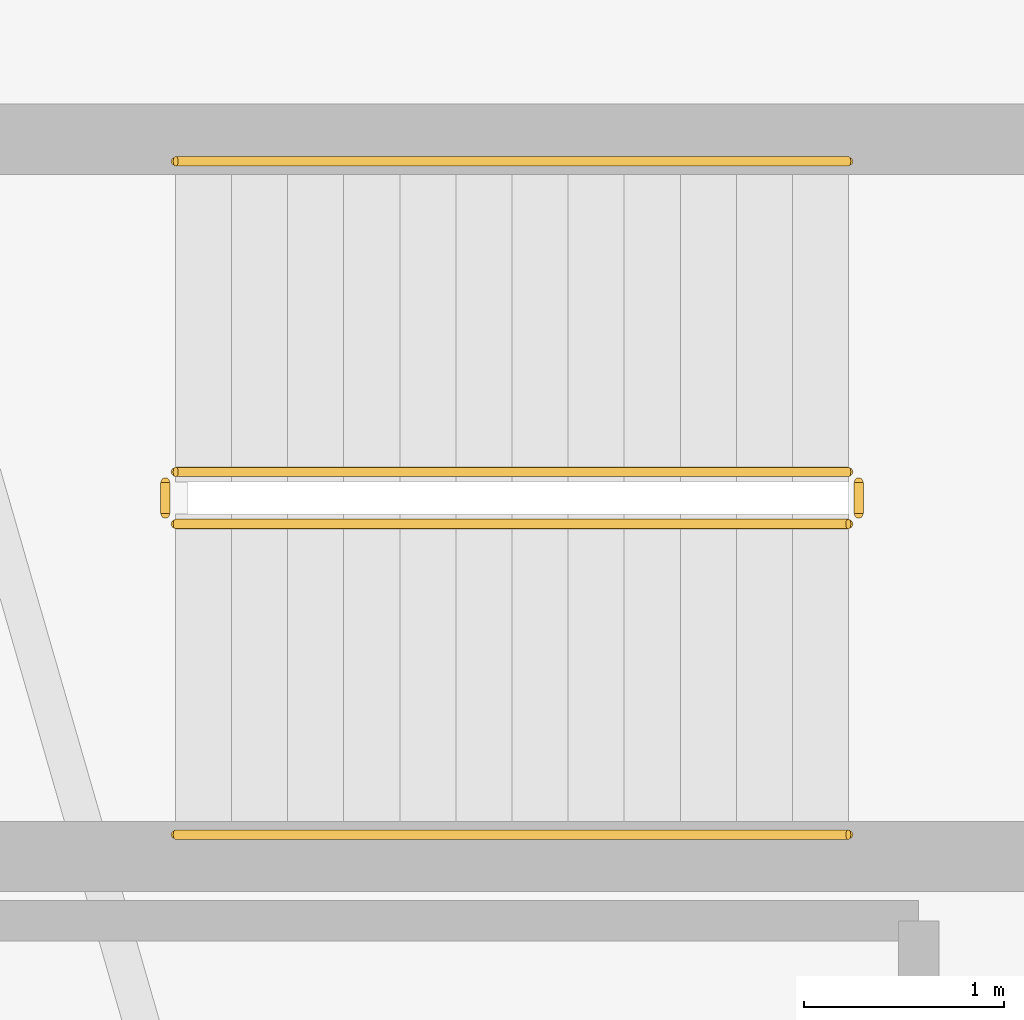
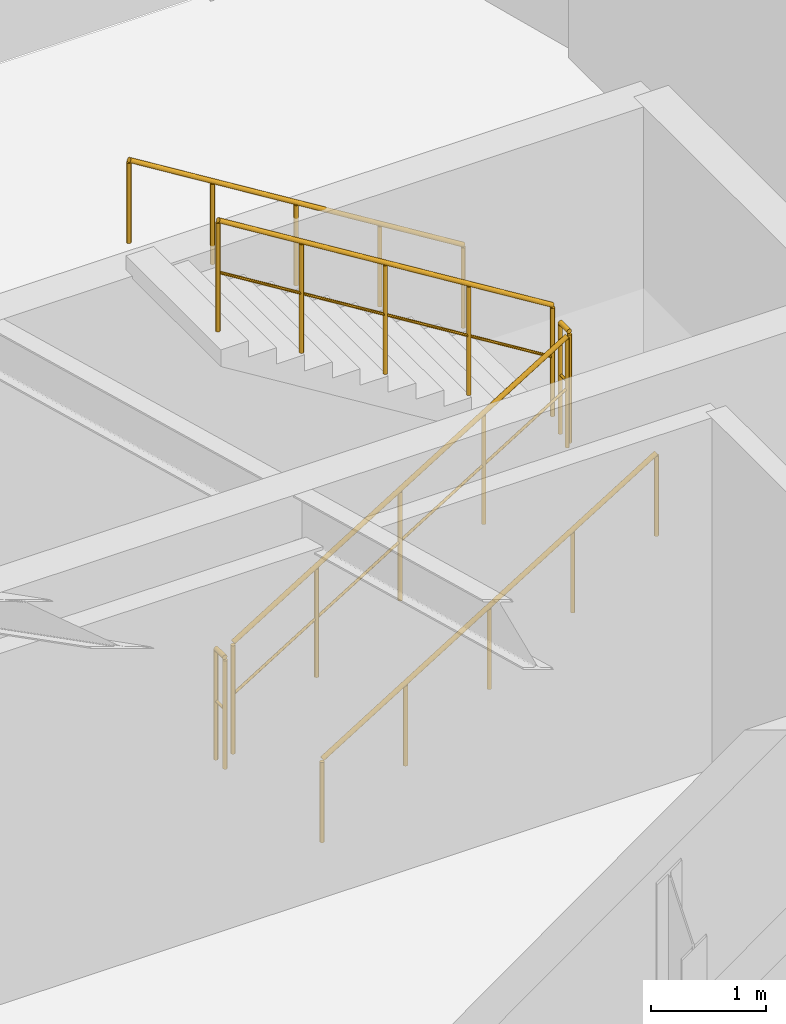
# One storey, part 32 of 32: 6 railings.
"""IFC4 building model written with IfcOpenShell, lengths in metres."""

from ifc_helpers import new_model, si_unit, direction, frame, origin, origin_2d, place, context, subcontext, project, spatial, circle, extrude, material, type_object, element, save


model = new_model("IFC4")

# Units and contexts
model_context = context("Model", 3, precision=1e-05, world=origin(), true_north=direction((0.0, 1.0)))
body_context = subcontext(model_context, "Body", "Model", "MODEL_VIEW")
ifc_project = project(units=[si_unit("LENGTHUNIT", "METRE"), si_unit("AREAUNIT", "SQUARE_METRE"), si_unit("VOLUMEUNIT", "CUBIC_METRE"), si_unit("PLANEANGLEUNIT", "RADIAN"), si_unit("MASSUNIT", "GRAM", prefix="KILO")], contexts=[model_context])

# Site, building, storey
site_placement = place(None, origin())
site = spatial("IfcSite", under=ifc_project, at=site_placement, CompositionType="ELEMENT")
building_placement = place(site_placement, origin())
building = spatial("IfcBuilding", under=site, at=building_placement, Name="Sahyath Konkavel Grand Hotel", CompositionType="ELEMENT")
storey_placement = place(building_placement, frame((0.0, 0.0, 14.10009765625)))
storey = spatial("IfcBuildingStorey", under=building, at=storey_placement, Name="L03", CompositionType="ELEMENT", Elevation=14.10009765625)

# Railings
ifc_material_1 = material(Name="Steel E350", Category="steel")
railing_type_1 = type_object("IfcRailingType", Name="RLG-STAIR-GRD", PredefinedType="GUARDRAIL", material=ifc_material_1)
railing_1_placement = place(storey_placement, frame((21.2900390625, 12.179931640625, 0.173095703125)))
element("IfcRailing", 1, at=railing_1_placement, inside=storey, type_object=railing_type_1, Name="L03 ST-P2 stair guard 1", PredefinedType="GUARDRAIL", context=body_context, shape_type="SweptSolid", body=[
    extrude(circle(Radius=0.02392578125, at=origin_2d()), frame((0.001708984375, 0.0, 1.177001953125), z_axis=(0.850606129759, 0.0, 0.525803396734), x_axis=(0.0, 1.0, 0.0)), (0.0, 0.0, 1.0), 3.946044921875),
    extrude(circle(Radius=0.01416015625, at=origin_2d()), frame((0.001708984375, 0.0, 0.625), z_axis=(0.850606129759, 0.0, 0.525803396734), x_axis=(0.0, 1.0, 0.0)), (0.0, 0.0, 1.0), 3.946044921875),
    extrude(circle(Radius=0.02099609375, at=origin_2d()), origin(), (0.0, 0.0, 1.0), 1.15185546875),
    extrude(circle(Radius=0.02099609375, at=origin_2d()), frame((0.83984375, 0.0, 0.519287109375)), (0.0, 0.0, 1.0), 1.15185546875),
    extrude(circle(Radius=0.02099609375, at=origin_2d()), frame((1.679931640625, 0.0, 1.03857421875)), (0.0, 0.0, 1.0), 1.15185546875),
    extrude(circle(Radius=0.02099609375, at=origin_2d()), frame((2.52001953125, 0.0, 1.5576171875)), (0.0, 0.0, 1.0), 1.15185546875),
    extrude(circle(Radius=0.02099609375, at=origin_2d()), frame((3.35986328125, 0.0, 2.076904296875)), (0.0, 0.0, 1.0), 1.15185546875),
])
railing_2_placement = place(storey_placement, frame((24.699951171875, 12.22998046875, 2.25)))
element("IfcRailing", 2, at=railing_2_placement, inside=storey, type_object=railing_type_1, Name="L03 ST-P2 stair guard 2", PredefinedType="GUARDRAIL", context=body_context, shape_type="SweptSolid", body=[
    extrude(circle(Radius=0.02392578125, at=origin_2d()), frame((0.0, 0.001953125, 1.17578125), z_axis=(0.0, 1.0, 0.0), x_axis=(-1.0, 0.0, 0.0)), (0.0, 0.0, 1.0), 0.156005859375),
    extrude(circle(Radius=0.01416015625, at=origin_2d()), frame((0.0, 0.001953125, 0.6240234375), z_axis=(0.0, 1.0, 0.0), x_axis=(-1.0, 0.0, 0.0)), (0.0, 0.0, 1.0), 0.156005859375),
    extrude(circle(Radius=0.02099609375, at=origin_2d()), origin(), (0.0, 0.0, 1.0), 1.15185546875),
    extrude(circle(Radius=0.02099609375, at=origin_2d()), frame((0.0, 0.159912109375, 0.0)), (0.0, 0.0, 1.0), 1.15185546875),
])
railing_3_placement = place(storey_placement, frame((24.64990234375, 12.43994140625, 2.423095703125)))
element("IfcRailing", 3, at=railing_3_placement, inside=storey, type_object=railing_type_1, Name="L03 ST-P2 stair guard 3", PredefinedType="GUARDRAIL", context=body_context, shape_type="SweptSolid", body=[
    extrude(circle(Radius=0.02392578125, at=origin_2d()), frame((-0.001708984375, 0.0, 1.177001953125), z_axis=(-0.850606129759, 0.0, 0.525803396734), x_axis=(0.0, -1.0, 0.0)), (0.0, 0.0, 1.0), 3.946044921875),
    extrude(circle(Radius=0.01416015625, at=origin_2d()), frame((-0.001708984375, 0.0, 0.625), z_axis=(-0.850606129759, 0.0, 0.525803396734), x_axis=(0.0, -1.0, 0.0)), (0.0, 0.0, 1.0), 3.946044921875),
    extrude(circle(Radius=0.02099609375, at=origin_2d()), origin(), (0.0, 0.0, 1.0), 1.15185546875),
    extrude(circle(Radius=0.02099609375, at=origin_2d()), frame((-0.83984375, 0.0, 0.519287109375)), (0.0, 0.0, 1.0), 1.15185546875),
    extrude(circle(Radius=0.02099609375, at=origin_2d()), frame((-1.679931640625, 0.0, 1.03857421875)), (0.0, 0.0, 1.0), 1.15185546875),
    extrude(circle(Radius=0.02099609375, at=origin_2d()), frame((-2.52001953125, 0.0, 1.5576171875)), (0.0, 0.0, 1.0), 1.15185546875),
    extrude(circle(Radius=0.02099609375, at=origin_2d()), frame((-3.35986328125, 0.0, 2.076904296875)), (0.0, 0.0, 1.0), 1.15185546875),
])
railing_4_placement = place(storey_placement, frame((21.239990234375, 12.22998046875, 0.0)))
element("IfcRailing", 4, at=railing_4_placement, inside=storey, type_object=railing_type_1, Name="L03 ST-P2 stair guard 4", PredefinedType="GUARDRAIL", context=body_context, shape_type="SweptSolid", body=[
    extrude(circle(Radius=0.02392578125, at=origin_2d()), frame((0.0, 0.001953125, 1.17578125), z_axis=(0.0, 1.0, 0.0), x_axis=(-1.0, 0.0, 0.0)), (0.0, 0.0, 1.0), 0.156005859375),
    extrude(circle(Radius=0.01416015625, at=origin_2d()), frame((0.0, 0.001953125, 0.6240234375), z_axis=(0.0, 1.0, 0.0), x_axis=(-1.0, 0.0, 0.0)), (0.0, 0.0, 1.0), 0.156005859375),
    extrude(circle(Radius=0.02099609375, at=origin_2d()), origin(), (0.0, 0.0, 1.0), 1.15185546875),
    extrude(circle(Radius=0.02099609375, at=origin_2d()), frame((0.0, 0.159912109375, 0.0)), (0.0, 0.0, 1.0), 1.15185546875),
])
ifc_material_2 = material(Name="Anodised Bronze Aluminium", Category="aluminium")
railing_type_2 = type_object("IfcRailingType", Name="RLG-STAIR-HND", PredefinedType="HANDRAIL", material=ifc_material_2)
railing_5_placement = place(storey_placement, frame((21.2900390625, 10.6298828125, 0.173095703125)))
element("IfcRailing", 5, at=railing_5_placement, inside=storey, type_object=railing_type_2, Name="L03 ST-P2 stair handrail 1", PredefinedType="HANDRAIL", context=body_context, shape_type="SweptSolid", body=[
    extrude(circle(Radius=0.02392578125, at=origin_2d()), frame((0.001708984375, 0.0, 0.876953125), z_axis=(0.850606129759, 0.0, 0.525803396734), x_axis=(0.0, 1.0, 0.0)), (0.0, 0.0, 1.0), 3.946044921875),
    extrude(circle(Radius=0.02099609375, at=origin_2d()), origin(), (0.0, 0.0, 1.0), 0.851806640625),
    extrude(circle(Radius=0.02099609375, at=origin_2d()), frame((0.83984375, 0.0, 0.519287109375)), (0.0, 0.0, 1.0), 0.851806640625),
    extrude(circle(Radius=0.02099609375, at=origin_2d()), frame((1.679931640625, 0.0, 1.03857421875)), (0.0, 0.0, 1.0), 0.851806640625),
    extrude(circle(Radius=0.02099609375, at=origin_2d()), frame((2.52001953125, 0.0, 1.5576171875)), (0.0, 0.0, 1.0), 0.851806640625),
    extrude(circle(Radius=0.02099609375, at=origin_2d()), frame((3.35986328125, 0.0, 2.076904296875)), (0.0, 0.0, 1.0), 0.851806640625),
])
railing_6_placement = place(storey_placement, frame((24.64990234375, 13.989990234375, 2.423095703125)))
element("IfcRailing", 6, at=railing_6_placement, inside=storey, type_object=railing_type_2, Name="L03 ST-P2 stair handrail 2", PredefinedType="HANDRAIL", context=body_context, shape_type="SweptSolid", body=[
    extrude(circle(Radius=0.02392578125, at=origin_2d()), frame((-0.001708984375, 0.0, 0.876953125), z_axis=(-0.850606129759, 0.0, 0.525803396734), x_axis=(0.0, -1.0, 0.0)), (0.0, 0.0, 1.0), 3.946044921875),
    extrude(circle(Radius=0.02099609375, at=origin_2d()), origin(), (0.0, 0.0, 1.0), 0.851806640625),
    extrude(circle(Radius=0.02099609375, at=origin_2d()), frame((-0.83984375, 0.0, 0.519287109375)), (0.0, 0.0, 1.0), 0.851806640625),
    extrude(circle(Radius=0.02099609375, at=origin_2d()), frame((-1.679931640625, 0.0, 1.03857421875)), (0.0, 0.0, 1.0), 0.851806640625),
    extrude(circle(Radius=0.02099609375, at=origin_2d()), frame((-2.52001953125, 0.0, 1.5576171875)), (0.0, 0.0, 1.0), 0.851806640625),
    extrude(circle(Radius=0.02099609375, at=origin_2d()), frame((-3.35986328125, 0.0, 2.076904296875)), (0.0, 0.0, 1.0), 0.851806640625),
])

save(model, "model.ifc")
